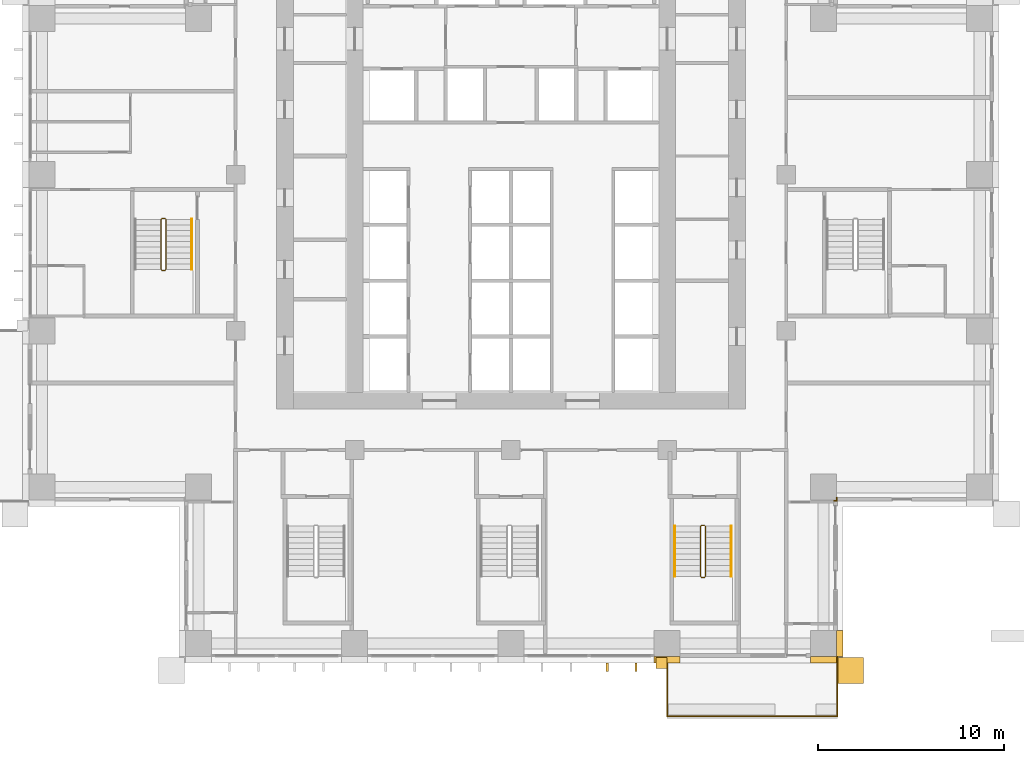
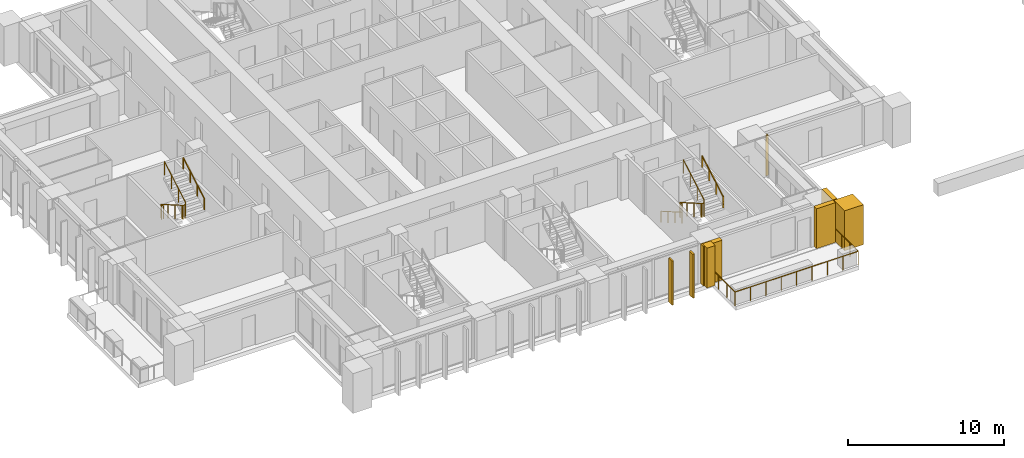
# One storey, part 16 of 18: 8 coverings, 6 railings.
"""IFC4 building model written with IfcOpenShell, lengths in metres."""

from ifc_helpers import new_model, si_unit, direction, frame, origin, origin_2d, place, context, subcontext, project, spatial, polyline, rectangle, outline, extrude, material, layer, layer_set, type_object, element, save


model = new_model("IFC4")

# Units and contexts
model_context = context("Model", 3, precision=1e-05, world=origin(), true_north=direction((0.0, 1.0)))
body_context = subcontext(model_context, "Body", "Model", "MODEL_VIEW")
ifc_project = project(units=[si_unit("LENGTHUNIT", "METRE"), si_unit("AREAUNIT", "SQUARE_METRE"), si_unit("VOLUMEUNIT", "CUBIC_METRE"), si_unit("PLANEANGLEUNIT", "RADIAN"), si_unit("MASSUNIT", "GRAM", prefix="KILO")], contexts=[model_context])

# Site, building, storey
site_placement = place(None, origin())
site = spatial("IfcSite", under=ifc_project, at=site_placement, CompositionType="ELEMENT")
building_placement = place(site_placement, origin())
building = spatial("IfcBuilding", under=site, at=building_placement, Name="Vermilion Ogive Tower", CompositionType="ELEMENT")
storey_placement = place(building_placement, frame((0.0, 0.0, 34.5)))
storey = spatial("IfcBuildingStorey", under=building, at=storey_placement, Name="L06", CompositionType="ELEMENT", Elevation=34.5)

# Railing
ifc_material_1 = material(Name="Stainless steel and glass", Category="steel")
railing_type_1 = type_object("IfcRailingType", Name="Balcony guard", PredefinedType="GUARDRAIL", material=ifc_material_1)
railing_1_placement = place(storey_placement, frame((8.39990234375, -21.75, -0.0400390625)))
element("IfcRailing", 1, at=railing_1_placement, inside=storey, type_object=railing_type_1, Name="Guard S04", PredefinedType="GUARDRAIL", context=body_context, shape_type="SweptSolid", body=[
    extrude(rectangle(XDim=0.048095703125, YDim=0.048095703125, at=origin_2d()), frame((0.0, 0.0, 1.076171875), z_axis=(0.0, -1.0, 0.0), x_axis=(1.0, 0.0, 0.0)), (0.0, 0.0, 1.0), 3.159912109375),
    extrude(rectangle(XDim=0.048095703125, YDim=0.048095703125, at=origin_2d()), frame((0.0, -3.159912109375, 1.076171875), z_axis=(1.0, 0.0, 0.0), x_axis=(0.0, 1.0, 0.0)), (0.0, 0.0, 1.0), 9.150146484375),
    extrude(rectangle(XDim=0.048095703125, YDim=0.048095703125, at=origin_2d()), frame((9.150146484375, -3.159912109375, 1.076171875), z_axis=(0.0, 1.0, 0.0), x_axis=(-1.0, 0.0, 0.0)), (0.0, 0.0, 1.0), 3.159912109375),
    extrude(rectangle(XDim=0.0419921875, YDim=0.0419921875, at=origin_2d()), origin(), (0.0, 0.0, 1.0), 1.052001953125),
    extrude(rectangle(XDim=0.0419921875, YDim=0.0419921875, at=origin_2d()), frame((0.0, -1.05322265625, 0.0)), (0.0, 0.0, 1.0), 1.052001953125),
    extrude(rectangle(XDim=0.0419921875, YDim=0.0419921875, at=origin_2d()), frame((0.0, -2.106689453125, 0.0)), (0.0, 0.0, 1.0), 1.052001953125),
    extrude(rectangle(XDim=0.0419921875, YDim=0.0419921875, at=origin_2d()), frame((0.0, -3.159912109375, 0.0)), (0.0, 0.0, 1.0), 1.052001953125),
    extrude(rectangle(XDim=0.0419921875, YDim=0.0419921875, at=origin_2d()), frame((1.143798828125, -3.159912109375, 0.0)), (0.0, 0.0, 1.0), 1.052001953125),
    extrude(rectangle(XDim=0.0419921875, YDim=0.0419921875, at=origin_2d()), frame((2.28759765625, -3.159912109375, 0.0)), (0.0, 0.0, 1.0), 1.052001953125),
    extrude(rectangle(XDim=0.0419921875, YDim=0.0419921875, at=origin_2d()), frame((3.431396484375, -3.159912109375, 0.0)), (0.0, 0.0, 1.0), 1.052001953125),
    extrude(rectangle(XDim=0.0419921875, YDim=0.0419921875, at=origin_2d()), frame((4.5751953125, -3.159912109375, 0.0)), (0.0, 0.0, 1.0), 1.052001953125),
    extrude(rectangle(XDim=0.0419921875, YDim=0.0419921875, at=origin_2d()), frame((5.71875, -3.159912109375, 0.0)), (0.0, 0.0, 1.0), 1.052001953125),
    extrude(rectangle(XDim=0.0419921875, YDim=0.0419921875, at=origin_2d()), frame((6.862548828125, -3.159912109375, 0.0)), (0.0, 0.0, 1.0), 1.052001953125),
    extrude(rectangle(XDim=0.0419921875, YDim=0.0419921875, at=origin_2d()), frame((8.00634765625, -3.159912109375, 0.0)), (0.0, 0.0, 1.0), 1.052001953125),
    extrude(rectangle(XDim=0.0419921875, YDim=0.0419921875, at=origin_2d()), frame((9.150146484375, -3.159912109375, 0.0)), (0.0, 0.0, 1.0), 1.052001953125),
    extrude(rectangle(XDim=0.0419921875, YDim=0.0419921875, at=origin_2d()), frame((9.150146484375, -2.106689453125, 0.0)), (0.0, 0.0, 1.0), 1.052001953125),
    extrude(rectangle(XDim=0.0419921875, YDim=0.0419921875, at=origin_2d()), frame((9.150146484375, -1.05322265625, 0.0)), (0.0, 0.0, 1.0), 1.052001953125),
    extrude(rectangle(XDim=0.0419921875, YDim=0.0419921875, at=origin_2d()), frame((9.150146484375, 0.0, 0.0)), (0.0, 0.0, 1.0), 1.052001953125),
])

# Coverings
ifc_material_2 = material(Name="Glazed ceramic screen")
ifc_layer = layer(ifc_material_2, 0.14990234375)
ifc_layer_set = layer_set([ifc_layer], Name="Ceramic solar screen fin")
covering_type_1 = type_object("IfcCoveringType", Name="Ceramic solar screen fin", PredefinedType="CLADDING", material=ifc_layer_set)
covering_1_placement = place(storey_placement, frame((0.0, 0.0, -0.320068359375)))
element("IfcCovering", 2, at=covering_1_placement, inside=storey, type_object=covering_type_1, Name="Solar screen blade S011", PredefinedType="CLADDING", context=body_context, shape_type="SweptSolid", body=[
    extrude(outline(polyline([(5.114990234375, -22.5), (5.235107421875, -22.5), (5.235107421875, -22.050048828125), (5.114990234375, -22.050048828125), (5.114990234375, -22.5)])), origin(), (0.0, 0.0, 1.0), 3.449951171875),
])
covering_2_placement = place(storey_placement, frame((0.0, 0.0, -0.320068359375)))
element("IfcCovering", 3, at=covering_2_placement, inside=storey, type_object=covering_type_1, Name="Solar screen blade S012", PredefinedType="CLADDING", context=body_context, shape_type="SweptSolid", body=[
    extrude(outline(polyline([(6.6650390625, -22.5), (6.784912109375, -22.5), (6.784912109375, -22.050048828125), (6.6650390625, -22.050048828125), (6.6650390625, -22.5)])), origin(), (0.0, 0.0, 1.0), 3.449951171875),
])

# Railings
ifc_material_3 = material(Name="Steel S355 painted", Category="steel")
railing_type_2 = type_object("IfcRailingType", Name="Stair guard 1100", PredefinedType="GUARDRAIL", material=ifc_material_3)
railing_2_placement = place(storey_placement, frame((10.39990234375, -14.64990234375, 0.0)))
element("IfcRailing", 4, at=railing_2_placement, inside=storey, type_object=railing_type_2, Name="L06 ST5 stair guard 4", PredefinedType="GUARDRAIL", context=body_context, shape_type="SweptSolid", body=[
    extrude(rectangle(XDim=0.048095703125, YDim=0.048095703125, at=origin_2d()), frame((0.0, 0.0, 1.076171875), z_axis=(-1.0, 0.0, 0.0), x_axis=(0.0, -1.0, 0.0)), (0.0, 0.0, 1.0), 0.14990234375),
    extrude(rectangle(XDim=0.048095703125, YDim=0.048095703125, at=origin_2d()), frame((-0.14990234375, 0.0, 1.076171875), z_axis=(-0.268277960024, -0.268277960024, 0.925231793839), x_axis=(0.707106781187, -0.707106781187, 0.0)), (0.0, 0.0, 1.0), 0.1865234375),
    extrude(rectangle(XDim=0.048095703125, YDim=0.048095703125, at=origin_2d()), frame((-0.199951171875, -0.050048828125, 1.24853515625), z_axis=(0.0, -0.866903762492, 0.498475542607), x_axis=(1.0, 0.0, 0.0)), (0.0, 0.0, 1.0), 3.114501953125),
    extrude(rectangle(XDim=0.048095703125, YDim=0.048095703125, at=origin_2d()), frame((-0.199951171875, -2.75, 2.80126953125), z_axis=(0.707106781187, -0.707106781187, 0.0), x_axis=(0.707106781187, 0.707106781187, 0.0)), (0.0, 0.0, 1.0), 0.07080078125),
    extrude(rectangle(XDim=0.048095703125, YDim=0.048095703125, at=origin_2d()), frame((-0.14990234375, -2.800048828125, 2.80126953125), z_axis=(1.0, 0.0, 0.0), x_axis=(0.0, 1.0, 0.0)), (0.0, 0.0, 1.0), 0.14990234375),
    extrude(rectangle(XDim=0.048095703125, YDim=0.048095703125, at=origin_2d()), frame((0.0, -2.800048828125, 2.80126953125), z_axis=(0.268603158521, 0.268603158521, 0.925043072762), x_axis=(-0.707106781187, 0.707106781187, 0.0)), (0.0, 0.0, 1.0), 0.186279296875),
    extrude(rectangle(XDim=0.048095703125, YDim=0.048095703125, at=origin_2d()), frame((0.050048828125, -2.75, 2.9736328125), z_axis=(0.0, 0.866903762492, 0.498475542607), x_axis=(-1.0, 0.0, 0.0)), (0.0, 0.0, 1.0), 3.114501953125),
    extrude(rectangle(XDim=0.0419921875, YDim=0.0419921875, at=origin_2d()), origin(), (0.0, 0.0, 1.0), 1.052001953125),
    extrude(rectangle(XDim=0.0419921875, YDim=0.0419921875, at=origin_2d()), frame((-0.14990234375, 0.0, 0.0)), (0.0, 0.0, 1.0), 1.052001953125),
    extrude(rectangle(XDim=0.0419921875, YDim=0.0419921875, at=origin_2d()), frame((-0.199951171875, -0.050048828125, 0.172607421875)), (0.0, 0.0, 1.0), 1.052001953125),
    extrude(rectangle(XDim=0.0419921875, YDim=0.0419921875, at=origin_2d()), frame((-0.199951171875, -0.949951171875, 0.690185546875)), (0.0, 0.0, 1.0), 1.052001953125),
    extrude(rectangle(XDim=0.0419921875, YDim=0.0419921875, at=origin_2d()), frame((-0.199951171875, -1.85009765625, 1.20751953125)), (0.0, 0.0, 1.0), 1.052001953125),
    extrude(rectangle(XDim=0.0419921875, YDim=0.0419921875, at=origin_2d()), frame((-0.199951171875, -2.75, 1.72509765625)), (0.0, 0.0, 1.0), 1.052001953125),
    extrude(rectangle(XDim=0.0419921875, YDim=0.0419921875, at=origin_2d()), frame((-0.14990234375, -2.800048828125, 1.72509765625)), (0.0, 0.0, 1.0), 1.052001953125),
    extrude(rectangle(XDim=0.0419921875, YDim=0.0419921875, at=origin_2d()), frame((0.0, -2.800048828125, 1.72509765625)), (0.0, 0.0, 1.0), 1.052001953125),
    extrude(rectangle(XDim=0.0419921875, YDim=0.0419921875, at=origin_2d()), frame((0.050048828125, -2.75, 1.8974609375)), (0.0, 0.0, 1.0), 1.052001953125),
    extrude(rectangle(XDim=0.0419921875, YDim=0.0419921875, at=origin_2d()), frame((0.050048828125, -1.85009765625, 2.4150390625)), (0.0, 0.0, 1.0), 1.052001953125),
    extrude(rectangle(XDim=0.0419921875, YDim=0.0419921875, at=origin_2d()), frame((0.050048828125, -0.949951171875, 2.932373046875)), (0.0, 0.0, 1.0), 1.052001953125),
    extrude(rectangle(XDim=0.0419921875, YDim=0.0419921875, at=origin_2d()), frame((0.050048828125, -0.050048828125, 3.449951171875)), (0.0, 0.0, 1.0), 1.052001953125),
])
railing_3_placement = place(storey_placement, frame((-18.60009765625, 1.85009765625, 0.0)))
element("IfcRailing", 5, at=railing_3_placement, inside=storey, type_object=railing_type_2, Name="L06 ST9 stair guard 4", PredefinedType="GUARDRAIL", context=body_context, shape_type="SweptSolid", body=[
    extrude(rectangle(XDim=0.048095703125, YDim=0.048095703125, at=origin_2d()), frame((0.0, 0.0, 1.076171875), z_axis=(-1.0, 0.0, 0.0), x_axis=(0.0, -1.0, 0.0)), (0.0, 0.0, 1.0), 0.14990234375),
    extrude(rectangle(XDim=0.048095703125, YDim=0.048095703125, at=origin_2d()), frame((-0.14990234375, 0.0, 1.076171875), z_axis=(-0.268277960024, -0.268277960024, 0.925231793839), x_axis=(0.707106781187, -0.707106781187, 0.0)), (0.0, 0.0, 1.0), 0.1865234375),
    extrude(rectangle(XDim=0.048095703125, YDim=0.048095703125, at=origin_2d()), frame((-0.199951171875, -0.050048828125, 1.24853515625), z_axis=(0.0, -0.866903762492, 0.498475542607), x_axis=(1.0, 0.0, 0.0)), (0.0, 0.0, 1.0), 3.114501953125),
    extrude(rectangle(XDim=0.048095703125, YDim=0.048095703125, at=origin_2d()), frame((-0.199951171875, -2.75, 2.80126953125), z_axis=(0.707106781187, -0.707106781187, 0.0), x_axis=(0.707106781187, 0.707106781187, 0.0)), (0.0, 0.0, 1.0), 0.07080078125),
    extrude(rectangle(XDim=0.048095703125, YDim=0.048095703125, at=origin_2d()), frame((-0.14990234375, -2.800048828125, 2.80126953125), z_axis=(1.0, 0.0, 0.0), x_axis=(0.0, 1.0, 0.0)), (0.0, 0.0, 1.0), 0.14990234375),
    extrude(rectangle(XDim=0.048095703125, YDim=0.048095703125, at=origin_2d()), frame((0.0, -2.800048828125, 2.80126953125), z_axis=(0.268603158521, 0.268603158521, 0.925043072762), x_axis=(-0.707106781187, 0.707106781187, 0.0)), (0.0, 0.0, 1.0), 0.186279296875),
    extrude(rectangle(XDim=0.048095703125, YDim=0.048095703125, at=origin_2d()), frame((0.050048828125, -2.75, 2.9736328125), z_axis=(0.0, 0.866903762492, 0.498475542607), x_axis=(-1.0, 0.0, 0.0)), (0.0, 0.0, 1.0), 3.114501953125),
    extrude(rectangle(XDim=0.0419921875, YDim=0.0419921875, at=origin_2d()), origin(), (0.0, 0.0, 1.0), 1.052001953125),
    extrude(rectangle(XDim=0.0419921875, YDim=0.0419921875, at=origin_2d()), frame((-0.14990234375, 0.0, 0.0)), (0.0, 0.0, 1.0), 1.052001953125),
    extrude(rectangle(XDim=0.0419921875, YDim=0.0419921875, at=origin_2d()), frame((-0.199951171875, -0.050048828125, 0.172607421875)), (0.0, 0.0, 1.0), 1.052001953125),
    extrude(rectangle(XDim=0.0419921875, YDim=0.0419921875, at=origin_2d()), frame((-0.199951171875, -0.949951171875, 0.690185546875)), (0.0, 0.0, 1.0), 1.052001953125),
    extrude(rectangle(XDim=0.0419921875, YDim=0.0419921875, at=origin_2d()), frame((-0.199951171875, -1.85009765625, 1.20751953125)), (0.0, 0.0, 1.0), 1.052001953125),
    extrude(rectangle(XDim=0.0419921875, YDim=0.0419921875, at=origin_2d()), frame((-0.199951171875, -2.75, 1.72509765625)), (0.0, 0.0, 1.0), 1.052001953125),
    extrude(rectangle(XDim=0.0419921875, YDim=0.0419921875, at=origin_2d()), frame((-0.14990234375, -2.800048828125, 1.72509765625)), (0.0, 0.0, 1.0), 1.052001953125),
    extrude(rectangle(XDim=0.0419921875, YDim=0.0419921875, at=origin_2d()), frame((0.0, -2.800048828125, 1.72509765625)), (0.0, 0.0, 1.0), 1.052001953125),
    extrude(rectangle(XDim=0.0419921875, YDim=0.0419921875, at=origin_2d()), frame((0.050048828125, -2.75, 1.8974609375)), (0.0, 0.0, 1.0), 1.052001953125),
    extrude(rectangle(XDim=0.0419921875, YDim=0.0419921875, at=origin_2d()), frame((0.050048828125, -1.85009765625, 2.4150390625)), (0.0, 0.0, 1.0), 1.052001953125),
    extrude(rectangle(XDim=0.0419921875, YDim=0.0419921875, at=origin_2d()), frame((0.050048828125, -0.949951171875, 2.932373046875)), (0.0, 0.0, 1.0), 1.052001953125),
    extrude(rectangle(XDim=0.0419921875, YDim=0.0419921875, at=origin_2d()), frame((0.050048828125, -0.050048828125, 3.449951171875)), (0.0, 0.0, 1.0), 1.052001953125),
])
ifc_material_4 = material(Name="Stainless steel", Category="steel")
railing_type_3 = type_object("IfcRailingType", Name="Stair handrail 900", PredefinedType="HANDRAIL", material=ifc_material_4)
railing_4_placement = place(storey_placement, frame((8.800048828125, -14.699951171875, 0.172607421875)))
element("IfcRailing", 6, at=railing_4_placement, inside=storey, type_object=railing_type_3, Name="L06 ST5 stair handrail 1", PredefinedType="HANDRAIL", context=body_context, shape_type="SweptSolid", body=[
    extrude(rectangle(XDim=0.048095703125, YDim=0.048095703125, at=origin_2d()), frame((0.0, 0.0, 0.8759765625), z_axis=(0.0, -0.866903762492, 0.498475542607), x_axis=(1.0, 0.0, 0.0)), (0.0, 0.0, 1.0), 3.114501953125),
    extrude(rectangle(XDim=0.0419921875, YDim=0.0419921875, at=origin_2d()), origin(), (0.0, 0.0, 1.0), 0.851806640625),
    extrude(rectangle(XDim=0.0419921875, YDim=0.0419921875, at=origin_2d()), frame((0.0, -0.89990234375, 0.517578125)), (0.0, 0.0, 1.0), 0.851806640625),
    extrude(rectangle(XDim=0.0419921875, YDim=0.0419921875, at=origin_2d()), frame((0.0, -1.800048828125, 1.034912109375)), (0.0, 0.0, 1.0), 0.851806640625),
    extrude(rectangle(XDim=0.0419921875, YDim=0.0419921875, at=origin_2d()), frame((0.0, -2.699951171875, 1.552490234375)), (0.0, 0.0, 1.0), 0.851806640625),
])
for number, where, name in (
    (7, (11.85009765625, -17.39990234375, 1.8974609375), "L06 ST5 stair handrail 2"),
    (8, (-17.14990234375, -0.89990234375, 1.8974609375), "L06 ST9 stair handrail 2"),
):
    element("IfcRailing", number, at=place(storey_placement, frame(where)), inside=storey, type_object=railing_type_3, Name=name, PredefinedType="HANDRAIL", context=body_context, shape_type="SweptSolid", body=[
        extrude(rectangle(XDim=0.048095703125, YDim=0.048095703125, at=origin_2d()), frame((0.0, 0.0, 0.8759765625), z_axis=(0.0, 0.866903762492, 0.498475542607), x_axis=(-1.0, 0.0, 0.0)), (0.0, 0.0, 1.0), 3.114501953125),
        extrude(rectangle(XDim=0.0419921875, YDim=0.0419921875, at=origin_2d()), origin(), (0.0, 0.0, 1.0), 0.851806640625),
        extrude(rectangle(XDim=0.0419921875, YDim=0.0419921875, at=origin_2d()), frame((0.0, 0.89990234375, 0.517578125)), (0.0, 0.0, 1.0), 0.851806640625),
        extrude(rectangle(XDim=0.0419921875, YDim=0.0419921875, at=origin_2d()), frame((0.0, 1.800048828125, 1.034912109375)), (0.0, 0.0, 1.0), 0.851806640625),
        extrude(rectangle(XDim=0.0419921875, YDim=0.0419921875, at=origin_2d()), frame((0.0, 2.699951171875, 1.552490234375)), (0.0, 0.0, 1.0), 0.851806640625),
    ])

# Coverings
ifc_material_5 = material(Name="Stone cladding", Category="masonry")
covering_type_2 = type_object("IfcCoveringType", Name="Stone corner buttress", PredefinedType="CLADDING", material=ifc_material_5)
covering_3_placement = place(storey_placement, origin())
element("IfcCovering", 9, at=covering_3_placement, inside=storey, type_object=covering_type_2, Name="Stone crease pier SK", PredefinedType="CLADDING", context=body_context, shape_type="SweptSolid", body=[
    extrude(outline(polyline([(7.800048828125, -22.35009765625), (8.39990234375, -22.35009765625), (8.39990234375, -21.75), (7.800048828125, -21.75), (7.800048828125, -22.35009765625)])), origin(), (0.0, 0.0, 1.0), 3.1298828125),
])
covering_4_placement = place(storey_placement, origin())
element("IfcCovering", 10, at=covering_4_placement, inside=storey, type_object=covering_type_2, Name="Stone corner buttress X11", PredefinedType="CLADDING", context=body_context, shape_type="SweptSolid", body=[
    extrude(outline(polyline([(18.949951171875, -21.75), (18.949951171875, -23.14990234375), (17.550048828125, -23.14990234375), (17.550048828125, -22.050048828125), (17.550048828125, -21.75), (18.949951171875, -21.75)])), origin(), (0.0, 0.0, 1.0), 3.1298828125),
])
ifc_material_6 = material(Name="Stone cladding", Category="masonry")
covering_type_3 = type_object("IfcCoveringType", Name="Stone pier", PredefinedType="CLADDING", material=ifc_material_6)
covering_5_placement = place(storey_placement, origin())
element("IfcCovering", 11, at=covering_5_placement, inside=storey, type_object=covering_type_3, Name="Stone pier P+0084-210", PredefinedType="CLADDING", context=body_context, shape_type="SweptSolid", body=[
    extrude(outline(polyline([(9.10009765625, -21.699951171875), (9.10009765625, -22.050048828125), (8.39990234375, -22.050048828125), (8.39990234375, -21.75), (7.800048828125, -21.75), (7.800048828125, -22.050048828125), (7.699951171875, -22.050048828125), (7.699951171875, -21.699951171875), (9.10009765625, -21.699951171875), (9.10009765625, -21.699951171875)])), origin(), (0.0, 0.0, 1.0), 3.1298828125),
])
covering_6_placement = place(storey_placement, origin())
element("IfcCovering", 12, at=covering_6_placement, inside=storey, type_object=covering_type_3, Name="Stone pier P+0168-210S", PredefinedType="CLADDING", context=body_context, shape_type="SweptSolid", body=[
    extrude(outline(polyline([(17.5, -21.699951171875), (17.5, -21.699951171875), (17.5, -22.050048828125), (16.10009765625, -22.050048828125), (16.10009765625, -21.699951171875), (16.10009765625, -21.699951171875), (17.5, -21.699951171875)])), origin(), (0.0, 0.0, 1.0), 3.1298828125),
])
covering_7_placement = place(storey_placement, origin())
element("IfcCovering", 13, at=covering_7_placement, inside=storey, type_object=covering_type_3, Name="Stone pier P+0168-210X1", PredefinedType="CLADDING", context=body_context, shape_type="SweptSolid", body=[
    extrude(outline(polyline([(17.85009765625, -21.699951171875), (17.5, -21.699951171875), (17.5, -21.699951171875), (17.5, -20.300048828125), (17.85009765625, -20.300048828125), (17.85009765625, -21.699951171875)])), origin(), (0.0, 0.0, 1.0), 3.1298828125),
])
covering_8_placement = place(storey_placement, origin())
element("IfcCovering", 14, at=covering_8_placement, inside=storey, type_object=covering_type_3, Name="Stone corner pier X1E1", PredefinedType="CLADDING", context=body_context, shape_type="SweptSolid", body=[
    extrude(outline(polyline([(17.35009765625, -13.300048828125), (17.5, -13.300048828125), (17.5, -13.14990234375), (17.550048828125, -13.14990234375), (17.550048828125, -13.35009765625), (17.35009765625, -13.35009765625), (17.35009765625, -13.300048828125)])), origin(), (0.0, 0.0, 1.0), 3.1298828125),
])

save(model, "model.ifc")
